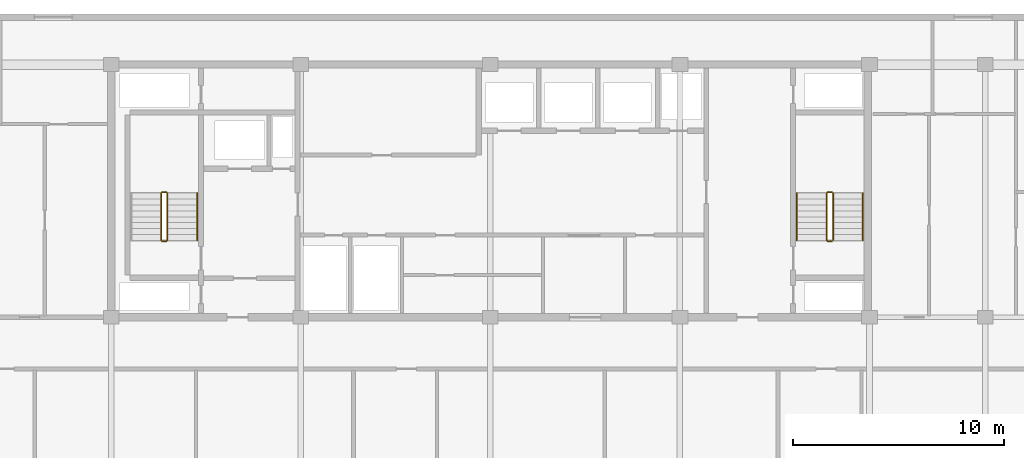
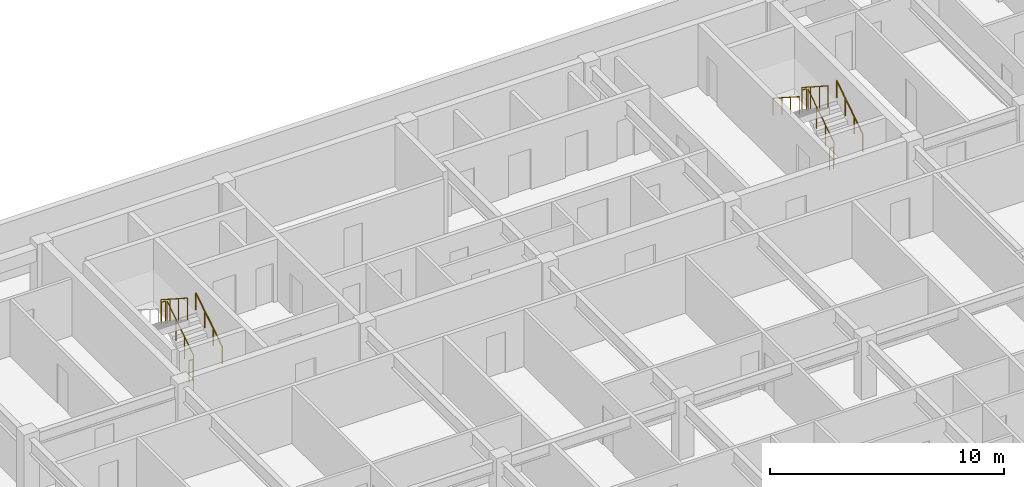
# One storey, part 20 of 23: 11 railings.
"""IFC4 building model written with IfcOpenShell, lengths in metres."""

from ifc_helpers import new_model, si_unit, direction, frame, origin, origin_2d, place, context, subcontext, project, spatial, circle, extrude, material, type_object, element, save


model = new_model("IFC4")

# Units and contexts
model_context = context("Model", 3, precision=1e-05, world=origin(), true_north=direction((0.0, 1.0)))
body_context = subcontext(model_context, "Body", "Model", "MODEL_VIEW")
ifc_project = project(units=[si_unit("LENGTHUNIT", "METRE"), si_unit("AREAUNIT", "SQUARE_METRE"), si_unit("VOLUMEUNIT", "CUBIC_METRE"), si_unit("PLANEANGLEUNIT", "RADIAN"), si_unit("MASSUNIT", "GRAM", prefix="KILO")], contexts=[model_context])

# Site, building, storey
site_placement = place(None, origin())
site = spatial("IfcSite", under=ifc_project, at=site_placement, CompositionType="ELEMENT")
building_placement = place(site_placement, origin())
building = spatial("IfcBuilding", under=site, at=building_placement, Name="Korimba Cascade Residences", CompositionType="ELEMENT")
storey_placement = place(building_placement, frame((0.0, 0.0, 162.10009765625)))
storey = spatial("IfcBuildingStorey", under=building, at=storey_placement, Name="L46", CompositionType="ELEMENT", Elevation=162.10009765625)

# Railings
ifc_material_1 = material(Name="Painted Steel Stairwell Guardrail", Category="steel")
railing_type_1 = type_object("IfcRailingType", Name="RLG-ST-GD1150", PredefinedType="GUARDRAIL", material=ifc_material_1)
railing_1_placement = place(storey_placement, frame((84.77001953125, 22.050048828125, 0.180419921875)))
element("IfcRailing", 1, at=railing_1_placement, inside=storey, type_object=railing_type_1, Name="L46 ST-E1 stair guard 1", PredefinedType="GUARDRAIL", context=body_context, shape_type="SweptSolid", body=[
    extrude(circle(Radius=0.02392578125, at=origin_2d()), frame((0.0, 0.0, 1.1259765625), z_axis=(0.0, 0.840394893359, 0.541974559565), x_axis=(-1.0, 0.0, 0.0)), (0.0, 0.0, 1.0), 2.665283203125),
    extrude(circle(Radius=0.02099609375, at=origin_2d()), origin(), (0.0, 0.0, 1.0), 1.101806640625),
    extrude(circle(Radius=0.02099609375, at=origin_2d()), frame((0.0, 0.74658203125, 0.4814453125)), (0.0, 0.0, 1.0), 1.101806640625),
    extrude(circle(Radius=0.02099609375, at=origin_2d()), frame((0.0, 1.493408203125, 0.963134765625)), (0.0, 0.0, 1.0), 1.101806640625),
    extrude(circle(Radius=0.02099609375, at=origin_2d()), frame((0.0, 2.239990234375, 1.444580078125)), (0.0, 0.0, 1.0), 1.101806640625),
])
railing_2_placement = place(storey_placement, frame((84.719970703125, 24.340087890625, 1.625)))
element("IfcRailing", 2, at=railing_2_placement, inside=storey, type_object=railing_type_1, Name="L46 ST-E1 stair guard 2", PredefinedType="GUARDRAIL", context=body_context, shape_type="SweptSolid", body=[
    extrude(circle(Radius=0.02392578125, at=origin_2d()), frame((0.0, 0.0, 1.1259765625), z_axis=(-1.0, 0.0, 0.0), x_axis=(0.0, -1.0, 0.0)), (0.0, 0.0, 1.0), 0.199951171875),
    extrude(circle(Radius=0.02099609375, at=origin_2d()), origin(), (0.0, 0.0, 1.0), 1.101806640625),
    extrude(circle(Radius=0.02099609375, at=origin_2d()), frame((-0.199951171875, 0.0, 0.0)), (0.0, 0.0, 1.0), 1.101806640625),
])
railing_3_placement = place(storey_placement, frame((84.469970703125, 24.2900390625, 1.805419921875)))
element("IfcRailing", 3, at=railing_3_placement, inside=storey, type_object=railing_type_1, Name="L46 ST-E1 stair guard 3", PredefinedType="GUARDRAIL", context=body_context, shape_type="SweptSolid", body=[
    extrude(circle(Radius=0.02392578125, at=origin_2d()), frame((0.0, 0.0, 1.1259765625), z_axis=(0.0, -0.840394893359, 0.541974559565), x_axis=(1.0, 0.0, 0.0)), (0.0, 0.0, 1.0), 2.665283203125),
    extrude(circle(Radius=0.02099609375, at=origin_2d()), origin(), (0.0, 0.0, 1.0), 1.101806640625),
    extrude(circle(Radius=0.02099609375, at=origin_2d()), frame((0.0, -0.74658203125, 0.4814453125)), (0.0, 0.0, 1.0), 1.101806640625),
    extrude(circle(Radius=0.02099609375, at=origin_2d()), frame((0.0, -1.493408203125, 0.963134765625)), (0.0, 0.0, 1.0), 1.101806640625),
    extrude(circle(Radius=0.02099609375, at=origin_2d()), frame((0.0, -2.239990234375, 1.444580078125)), (0.0, 0.0, 1.0), 1.101806640625),
])
railing_4_placement = place(storey_placement, frame((84.719970703125, 22.0, 0.0)))
element("IfcRailing", 4, at=railing_4_placement, inside=storey, type_object=railing_type_1, Name="L46 ST-E1 stair guard 4", PredefinedType="GUARDRAIL", context=body_context, shape_type="SweptSolid", body=[
    extrude(circle(Radius=0.02392578125, at=origin_2d()), frame((0.0, 0.0, 1.1259765625), z_axis=(-1.0, 0.0, 0.0), x_axis=(0.0, -1.0, 0.0)), (0.0, 0.0, 1.0), 0.199951171875),
    extrude(circle(Radius=0.02099609375, at=origin_2d()), origin(), (0.0, 0.0, 1.0), 1.101806640625),
    extrude(circle(Radius=0.02099609375, at=origin_2d()), frame((-0.199951171875, 0.0, 0.0)), (0.0, 0.0, 1.0), 1.101806640625),
])
railing_5_placement = place(storey_placement, frame((116.3701171875, 22.050048828125, 0.180419921875)))
element("IfcRailing", 5, at=railing_5_placement, inside=storey, type_object=railing_type_1, Name="L46 ST-E2 stair guard 1", PredefinedType="GUARDRAIL", context=body_context, shape_type="SweptSolid", body=[
    extrude(circle(Radius=0.02392578125, at=origin_2d()), frame((0.0, 0.0, 1.1259765625), z_axis=(0.0, 0.840394893359, 0.541974559565), x_axis=(-1.0, 0.0, 0.0)), (0.0, 0.0, 1.0), 2.665283203125),
    extrude(circle(Radius=0.02099609375, at=origin_2d()), origin(), (0.0, 0.0, 1.0), 1.101806640625),
    extrude(circle(Radius=0.02099609375, at=origin_2d()), frame((0.0, 0.74658203125, 0.4814453125)), (0.0, 0.0, 1.0), 1.101806640625),
    extrude(circle(Radius=0.02099609375, at=origin_2d()), frame((0.0, 1.493408203125, 0.963134765625)), (0.0, 0.0, 1.0), 1.101806640625),
    extrude(circle(Radius=0.02099609375, at=origin_2d()), frame((0.0, 2.239990234375, 1.444580078125)), (0.0, 0.0, 1.0), 1.101806640625),
])
railing_6_placement = place(storey_placement, frame((116.320068359375, 24.340087890625, 1.625)))
element("IfcRailing", 6, at=railing_6_placement, inside=storey, type_object=railing_type_1, Name="L46 ST-E2 stair guard 2", PredefinedType="GUARDRAIL", context=body_context, shape_type="SweptSolid", body=[
    extrude(circle(Radius=0.02392578125, at=origin_2d()), frame((0.0, 0.0, 1.1259765625), z_axis=(-1.0, 0.0, 0.0), x_axis=(0.0, -1.0, 0.0)), (0.0, 0.0, 1.0), 0.199951171875),
    extrude(circle(Radius=0.02099609375, at=origin_2d()), origin(), (0.0, 0.0, 1.0), 1.101806640625),
    extrude(circle(Radius=0.02099609375, at=origin_2d()), frame((-0.199951171875, 0.0, 0.0)), (0.0, 0.0, 1.0), 1.101806640625),
])
railing_7_placement = place(storey_placement, frame((116.070068359375, 24.2900390625, 1.805419921875)))
element("IfcRailing", 7, at=railing_7_placement, inside=storey, type_object=railing_type_1, Name="L46 ST-E2 stair guard 3", PredefinedType="GUARDRAIL", context=body_context, shape_type="SweptSolid", body=[
    extrude(circle(Radius=0.02392578125, at=origin_2d()), frame((0.0, 0.0, 1.1259765625), z_axis=(0.0, -0.840394893359, 0.541974559565), x_axis=(1.0, 0.0, 0.0)), (0.0, 0.0, 1.0), 2.665283203125),
    extrude(circle(Radius=0.02099609375, at=origin_2d()), origin(), (0.0, 0.0, 1.0), 1.101806640625),
    extrude(circle(Radius=0.02099609375, at=origin_2d()), frame((0.0, -0.74658203125, 0.4814453125)), (0.0, 0.0, 1.0), 1.101806640625),
    extrude(circle(Radius=0.02099609375, at=origin_2d()), frame((0.0, -1.493408203125, 0.963134765625)), (0.0, 0.0, 1.0), 1.101806640625),
    extrude(circle(Radius=0.02099609375, at=origin_2d()), frame((0.0, -2.239990234375, 1.444580078125)), (0.0, 0.0, 1.0), 1.101806640625),
])
railing_8_placement = place(storey_placement, frame((116.320068359375, 22.0, 0.0)))
element("IfcRailing", 8, at=railing_8_placement, inside=storey, type_object=railing_type_1, Name="L46 ST-E2 stair guard 4", PredefinedType="GUARDRAIL", context=body_context, shape_type="SweptSolid", body=[
    extrude(circle(Radius=0.02392578125, at=origin_2d()), frame((0.0, 0.0, 1.1259765625), z_axis=(-1.0, 0.0, 0.0), x_axis=(0.0, -1.0, 0.0)), (0.0, 0.0, 1.0), 0.199951171875),
    extrude(circle(Radius=0.02099609375, at=origin_2d()), origin(), (0.0, 0.0, 1.0), 1.101806640625),
    extrude(circle(Radius=0.02099609375, at=origin_2d()), frame((-0.199951171875, 0.0, 0.0)), (0.0, 0.0, 1.0), 1.101806640625),
])
ifc_material_2 = material(Name="Brushed Stainless Steel Handrail", Category="steel")
railing_type_2 = type_object("IfcRailingType", Name="RLG-ST-HR900", PredefinedType="HANDRAIL", material=ifc_material_2)
for number, where, name in (
    (9, (86.18994140625, 22.050048828125, 0.36474609375), "L46 ST-E1 stair handrail 1"),
    (10, (117.7900390625, 22.050048828125, 0.36474609375), "L46 ST-E2 stair handrail 1"),
):
    element("IfcRailing", number, at=place(storey_placement, frame(where)), inside=storey, type_object=railing_type_2, Name=name, PredefinedType="HANDRAIL", context=body_context, shape_type="SweptSolid", body=[
        extrude(circle(Radius=0.02392578125, at=origin_2d()), frame((0.0, 0.0, 0.8759765625), z_axis=(0.0, 0.840394893359, 0.541974559565), x_axis=(-1.0, 0.0, 0.0)), (0.0, 0.0, 1.0), 2.665283203125),
        extrude(circle(Radius=0.02099609375, at=origin_2d()), origin(), (0.0, 0.0, 1.0), 0.851806640625),
        extrude(circle(Radius=0.02099609375, at=origin_2d()), frame((0.0, 0.74658203125, 0.4814453125)), (0.0, 0.0, 1.0), 0.851806640625),
        extrude(circle(Radius=0.02099609375, at=origin_2d()), frame((0.0, 1.493408203125, 0.963134765625)), (0.0, 0.0, 1.0), 0.851806640625),
        extrude(circle(Radius=0.02099609375, at=origin_2d()), frame((0.0, 2.239990234375, 1.444580078125)), (0.0, 0.0, 1.0), 0.851806640625),
    ])
railing_9_placement = place(storey_placement, frame((114.64990234375, 24.2900390625, 1.98974609375)))
element("IfcRailing", 11, at=railing_9_placement, inside=storey, type_object=railing_type_2, Name="L46 ST-E2 stair handrail 2", PredefinedType="HANDRAIL", context=body_context, shape_type="SweptSolid", body=[
    extrude(circle(Radius=0.02392578125, at=origin_2d()), frame((0.0, 0.0, 0.8759765625), z_axis=(0.0, -0.840394893359, 0.541974559565), x_axis=(1.0, 0.0, 0.0)), (0.0, 0.0, 1.0), 2.665283203125),
    extrude(circle(Radius=0.02099609375, at=origin_2d()), origin(), (0.0, 0.0, 1.0), 0.851806640625),
    extrude(circle(Radius=0.02099609375, at=origin_2d()), frame((0.0, -0.74658203125, 0.4814453125)), (0.0, 0.0, 1.0), 0.851806640625),
    extrude(circle(Radius=0.02099609375, at=origin_2d()), frame((0.0, -1.493408203125, 0.963134765625)), (0.0, 0.0, 1.0), 0.851806640625),
    extrude(circle(Radius=0.02099609375, at=origin_2d()), frame((0.0, -2.239990234375, 1.444580078125)), (0.0, 0.0, 1.0), 0.851806640625),
])

save(model, "model.ifc")
